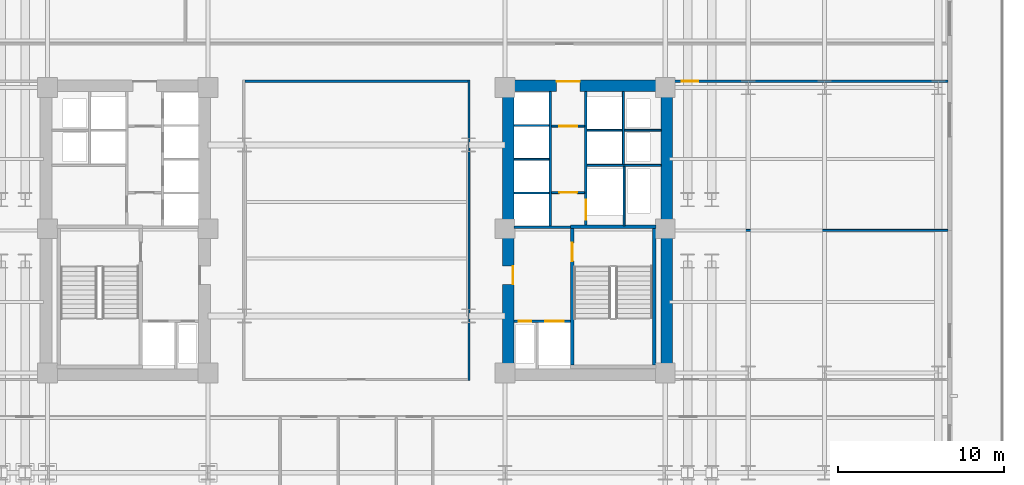
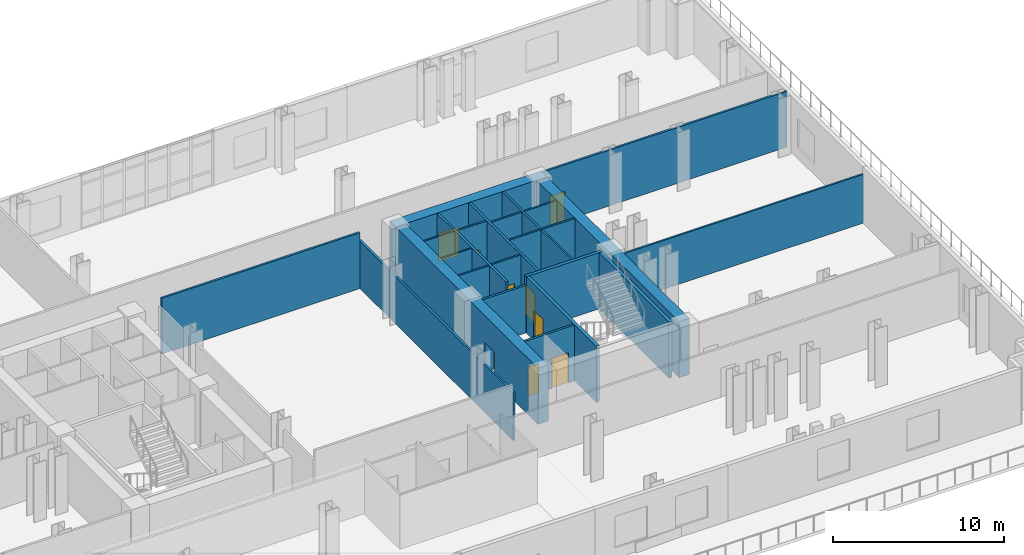
# One storey, part 8 of 14: 24 walls, 9 doors, 9 openings.
"""IFC4 building model written with IfcOpenShell, lengths in metres."""

from ifc_helpers import new_model, si_unit, direction, frame, frame_2d, origin, place, context, subcontext, project, spatial, rectangle, extrude, material, layer, layer_set, type_object, element, fill, save


model = new_model("IFC4")

# Units and contexts
model_context = context("Model", 3, precision=1e-05, world=origin(), true_north=direction((0.0, 1.0)))
body_context = subcontext(model_context, "Body", "Model", "MODEL_VIEW")
ifc_project = project(units=[si_unit("LENGTHUNIT", "METRE"), si_unit("AREAUNIT", "SQUARE_METRE"), si_unit("VOLUMEUNIT", "CUBIC_METRE"), si_unit("PLANEANGLEUNIT", "RADIAN"), si_unit("MASSUNIT", "GRAM", prefix="KILO")], contexts=[model_context])

# Site, building, storey
site_placement = place(None, origin())
site = spatial("IfcSite", under=ifc_project, at=site_placement, CompositionType="ELEMENT")
building_placement = place(site_placement, origin())
building = spatial("IfcBuilding", under=site, at=building_placement, Name="Velakula Bourse", CompositionType="ELEMENT")
storey_placement = place(building_placement, frame((0.0, 0.0, 27.0)))
storey = spatial("IfcBuildingStorey", under=building, at=storey_placement, Name="L06", CompositionType="ELEMENT", Elevation=27.0)

# Wall, opening, door
ifc_material_1 = material(Name="Concrete M50 (fck 50 MPa)", Category="concrete")
ifc_layer_1 = layer(ifc_material_1, 0.2099609375, Name="Concrete M50 (fck 50 MPa)", Category="concrete")
ifc_layer_set_1 = layer_set([ifc_layer_1], Name="Concrete M50 (fck 50 MPa)")
wall_type_1 = type_object("IfcWallType", Name="WL-CORE-210", PredefinedType="SHEAR", material=ifc_layer_set_1)
wall_1_placement = place(storey_placement, frame((12.9951171875, -8.10009765625, 0.0), z_axis=(0.0, 0.0, 1.0), x_axis=(0.0, 1.0, 0.0)))
wall_1 = element("IfcWall", 1, at=wall_1_placement, inside=storey, type_object=wall_type_1, Name="L06 Core E Stairwell Shear Wall IN", PredefinedType="SHEAR", context=body_context, shape_type="SweptSolid", body=[
    extrude(rectangle(XDim=8.2001953125, YDim=0.2099609375, at=frame_2d((4.10009765625, 0.0))), origin(), (0.0, 0.0, 1.0), 4.02001953125),
])
opening_1_placement = place(wall_1_placement, frame((6.25, 0.0, 0.0)))
opening_1 = element("IfcOpeningElement", 2, at=opening_1_placement, cuts=wall_1, Name="Opening D-STE1", PredefinedType="OPENING", context=body_context, shape_type="SweptSolid", body=[
    extrude(rectangle(XDim=1.10009765625, YDim=2.14990234375, at=frame_2d((0.550048828125, 1.074951171875))), frame((0.0, 0.114990234375, 0.0), z_axis=(0.0, -1.0, 0.0), x_axis=(1.0, 0.0, 0.0)), (0.0, 0.0, 1.0), 0.22998046875),
])
ifc_material_2 = material(Name="Galvanised painted hollow steel fire door", Category="steel")
door_type_1 = type_object("IfcDoorType", Name="DR-FD120-1100x2150", OperationType="NOTDEFINED", PredefinedType="DOOR", material=ifc_material_2)
door_1_placement = place(opening_1_placement, origin())
door_1 = element("IfcDoor", 3, at=door_1_placement, inside=storey, type_object=door_type_1, Name="L06 Stair ST-E1 Fire Door", OperationType="SINGLE_SWING_RIGHT", OverallHeight=2.14990234375, OverallWidth=1.10009765625, PredefinedType="DOOR", context=body_context, shape_type="SweptSolid", body=[
    extrude(rectangle(XDim=1.10009765625, YDim=2.14990234375, at=frame_2d((0.550048828125, 1.074951171875))), frame((0.0, 0.02490234375, 0.0), z_axis=(0.0, -1.0, 0.0), x_axis=(1.0, 0.0, 0.0)), (0.0, 0.0, 1.0), 0.050048828125),
])
fill(opening_1, door_1)

# Walls
wall_2_placement = place(storey_placement, frame((17.925048828125, -8.10009765625, 0.0), z_axis=(0.0, 0.0, 1.0), x_axis=(0.0, 1.0, 0.0)))
element("IfcWall", 4, at=wall_2_placement, inside=storey, type_object=wall_type_1, Name="L06 Core E Stairwell Shear Wall OUT", PredefinedType="SHEAR", context=body_context, shape_type="SweptSolid", body=[
    extrude(rectangle(XDim=8.2001953125, YDim=0.2099609375, at=frame_2d((4.10009765625, 0.0))), origin(), (0.0, 0.0, 1.0), 4.02001953125),
])
wall_3_placement = place(storey_placement, frame((18.030029296875, 0.205078125, 0.0), z_axis=(0.0, 0.0, 1.0), x_axis=(-1.0, 0.0, 0.0)))
element("IfcWall", 5, at=wall_3_placement, inside=storey, type_object=wall_type_1, Name="L06 Core E Stairwell Shear Wall N", PredefinedType="SHEAR", context=body_context, shape_type="SweptSolid", body=[
    extrude(rectangle(XDim=5.14013671875, YDim=0.2099609375, at=frame_2d((2.570068359375, 0.0))), origin(), (0.0, 0.0, 1.0), 4.02001953125),
])

# Wall, opening, door
ifc_material_3 = material(Name="Concrete M70 (fck 70 MPa)", Category="concrete")
ifc_layer_2 = layer(ifc_material_3, 0.699951171875, Name="Concrete M70 (fck 70 MPa)", Category="concrete")
ifc_layer_set_2 = layer_set([ifc_layer_2], Name="Concrete M70 (fck 70 MPa)")
wall_type_2 = type_object("IfcWallType", Name="WL-CORE-700", PredefinedType="SHEAR", material=ifc_layer_set_2)
wall_4_placement = place(storey_placement, frame((8.800048828125, 8.699951171875, 0.0), z_axis=(0.0, 0.0, 1.0), x_axis=(1.0, 0.0, 0.0)))
wall_4 = element("IfcWall", 6, at=wall_4_placement, inside=storey, type_object=wall_type_2, Name="L06 Core E Shear Wall N", PredefinedType="SHEAR", context=body_context, shape_type="SweptSolid", body=[
    extrude(rectangle(XDim=10.25, YDim=0.699951171875, at=frame_2d((5.125, 0.0))), origin(), (0.0, 0.0, 1.0), 4.02001953125),
])
opening_2_placement = place(wall_4_placement, frame((3.25, 0.0, 0.0)))
opening_2 = element("IfcOpeningElement", 7, at=opening_2_placement, cuts=wall_4, Name="Opening D-LLE", PredefinedType="OPENING", context=body_context, shape_type="SweptSolid", body=[
    extrude(rectangle(XDim=1.39990234375, YDim=2.050048828125, at=frame_2d((0.699951171875, 1.02490234375))), frame((0.0, 0.35986328125, 0.0), z_axis=(0.0, -1.0, 0.0), x_axis=(1.0, 0.0, 0.0)), (0.0, 0.0, 1.0), 0.719970703125),
])
ifc_material_4 = material(Name="Fire-rated hardwood flush architectural door", Category="wood")
door_type_2 = type_object("IfcDoorType", Name="DR-DBL-FD60-1400", OperationType="DOUBLE_DOOR_SINGLE_SWING", PredefinedType="DOOR", material=ifc_material_4)
door_2_placement = place(opening_2_placement, origin())
door_2 = element("IfcDoor", 8, at=door_2_placement, inside=storey, type_object=door_type_2, Name="L06 Core E Lift Lobby Corridor Double Door", OperationType="DOUBLE_DOOR_SINGLE_SWING", OverallHeight=2.050048828125, OverallWidth=1.39990234375, PredefinedType="DOOR", context=body_context, shape_type="SweptSolid", body=[
    extrude(rectangle(XDim=1.39990234375, YDim=2.050048828125, at=frame_2d((0.699951171875, 1.02490234375))), frame((0.0, 0.294921875, 0.0), z_axis=(0.0, -1.0, 0.0), x_axis=(1.0, 0.0, 0.0)), (0.0, 0.0, 1.0), 0.050048828125),
])
fill(opening_2, door_2)

wall_5_placement = place(storey_placement, frame((9.14990234375, -8.35009765625, 0.0), z_axis=(0.0, 0.0, 1.0), x_axis=(0.0, 1.0, 0.0)))
wall_5 = element("IfcWall", 9, at=wall_5_placement, inside=storey, type_object=wall_type_2, Name="L06 Core E Shear Wall W", PredefinedType="SHEAR", context=body_context, shape_type="SweptSolid", body=[
    extrude(rectangle(XDim=16.7001953125, YDim=0.699951171875, at=frame_2d((8.35009765625, 0.0))), origin(), (0.0, 0.0, 1.0), 4.02001953125),
])
opening_3_placement = place(wall_5_placement, frame((5.10009765625, 0.0, 0.0)))
opening_3 = element("IfcOpeningElement", 10, at=opening_3_placement, cuts=wall_5, Name="Opening D-FLE", PredefinedType="OPENING", context=body_context, shape_type="SweptSolid", body=[
    extrude(rectangle(XDim=1.10009765625, YDim=2.080078125, at=frame_2d((0.550048828125, 1.0400390625))), frame((0.0, 0.35986328125, 0.0), z_axis=(0.0, -1.0, 0.0), x_axis=(1.0, 0.0, 0.0)), (0.0, 0.0, 1.0), 0.719970703125),
])
door_type_3 = type_object("IfcDoorType", Name="DR-FD120-1100", OperationType="NOTDEFINED", PredefinedType="DOOR", material=ifc_material_2)
door_3_placement = place(opening_3_placement, origin())
door_3 = element("IfcDoor", 11, at=door_3_placement, inside=storey, type_object=door_type_3, Name="L06 Firefighting Lobby E Corridor Fire Door", OperationType="SINGLE_SWING_RIGHT", OverallHeight=2.080078125, OverallWidth=1.10009765625, PredefinedType="DOOR", context=body_context, shape_type="SweptSolid", body=[
    extrude(rectangle(XDim=1.10009765625, YDim=2.080078125, at=frame_2d((0.550048828125, 1.0400390625))), frame((0.0, -0.2548828125, 0.0), z_axis=(0.0, -1.0, 0.0), x_axis=(1.0, 0.0, 0.0)), (0.0, 0.0, 1.0), 0.050048828125),
])
fill(opening_3, door_3)

# Wall
wall_6_placement = place(storey_placement, frame((18.699951171875, -8.35009765625, 0.0), z_axis=(0.0, 0.0, 1.0), x_axis=(0.0, 1.0, 0.0)))
element("IfcWall", 12, at=wall_6_placement, inside=storey, type_object=wall_type_2, Name="L06 Core E Shear Wall E", PredefinedType="SHEAR", context=body_context, shape_type="SweptSolid", body=[
    extrude(rectangle(XDim=16.7001953125, YDim=0.699951171875, at=frame_2d((8.35009765625, 0.0))), origin(), (0.0, 0.0, 1.0), 4.02001953125),
])

# Wall, opening, door
ifc_material_5 = material(Name="Fire-rated double-layer gypsum drywall partition", Category="gypsum")
ifc_layer_3 = layer(ifc_material_5, 0.1201171875, Name="Fire-rated double-layer gypsum drywall partition", Category="gypsum")
ifc_layer_set_3 = layer_set([ifc_layer_3], Name="Fire-rated double-layer gypsum drywall partition")
wall_type_3 = type_object("IfcWallType", Name="WL-PART-120", PredefinedType="STANDARD", material=ifc_layer_set_3)
wall_7_placement = place(storey_placement, frame((11.75, 2.280029296875, 0.0), z_axis=(0.0, 0.0, 1.0), x_axis=(1.0, 0.0, 0.0)))
wall_7 = element("IfcWall", 13, at=wall_7_placement, inside=storey, type_object=wall_type_3, Name="L06 Interior Partition WL-CRE-L06-LL-K3A", PredefinedType="STANDARD", context=body_context, shape_type="SweptSolid", body=[
    extrude(rectangle(XDim=2.0, YDim=0.1201171875, at=frame_2d((1.0, 0.0))), origin(), (0.0, 0.0, 1.0), 4.0),
])
opening_4_placement = place(wall_7_placement, frame((0.449951171875, 0.0, 0.0)))
opening_4 = element("IfcOpeningElement", 14, at=opening_4_placement, cuts=wall_7, Name="Opening D-LK3", PredefinedType="OPENING", context=body_context, shape_type="SweptSolid", body=[
    extrude(rectangle(XDim=1.10009765625, YDim=2.10009765625, at=frame_2d((0.550048828125, 1.050048828125))), frame((0.0, 0.070068359375, 0.0), z_axis=(0.0, -1.0, 0.0), x_axis=(1.0, 0.0, 0.0)), (0.0, 0.0, 1.0), 0.14013671875),
])
door_type_4 = type_object("IfcDoorType", Name="DR-FD60-1100x2100", OperationType="NOTDEFINED", PredefinedType="DOOR", material=ifc_material_4)
door_4_placement = place(opening_4_placement, origin())
door_4 = element("IfcDoor", 15, at=door_4_placement, inside=storey, type_object=door_type_4, Name="L06 Core E Lift Lobby Vestibule Door A", OperationType="SINGLE_SWING_RIGHT", OverallHeight=2.10009765625, OverallWidth=1.10009765625, PredefinedType="DOOR", context=body_context, shape_type="SweptSolid", body=[
    extrude(rectangle(XDim=1.10009765625, YDim=2.10009765625, at=frame_2d((0.550048828125, 1.050048828125))), frame((0.0, 0.02490234375, 0.0), z_axis=(0.0, -1.0, 0.0), x_axis=(1.0, 0.0, 0.0)), (0.0, 0.0, 1.0), 0.050048828125),
])
fill(opening_4, door_4)

wall_8_placement = place(storey_placement, frame((11.75, 6.280029296875, 0.0), z_axis=(0.0, 0.0, 1.0), x_axis=(1.0, 0.0, 0.0)))
wall_8 = element("IfcWall", 16, at=wall_8_placement, inside=storey, type_object=wall_type_3, Name="L06 Interior Partition WL-CRE-L06-LL-K3B", PredefinedType="STANDARD", context=body_context, shape_type="SweptSolid", body=[
    extrude(rectangle(XDim=2.0, YDim=0.1201171875, at=frame_2d((1.0, 0.0))), origin(), (0.0, 0.0, 1.0), 4.0),
])
opening_5_placement = place(wall_8_placement, frame((0.449951171875, 0.0, 0.0)))
opening_5 = element("IfcOpeningElement", 17, at=opening_5_placement, cuts=wall_8, Name="Opening D-LK3", PredefinedType="OPENING", context=body_context, shape_type="SweptSolid", body=[
    extrude(rectangle(XDim=1.10009765625, YDim=2.10009765625, at=frame_2d((0.550048828125, 1.050048828125))), frame((0.0, 0.070068359375, 0.0), z_axis=(0.0, -1.0, 0.0), x_axis=(1.0, 0.0, 0.0)), (0.0, 0.0, 1.0), 0.14013671875),
])
door_5_placement = place(opening_5_placement, origin())
door_5 = element("IfcDoor", 18, at=door_5_placement, inside=storey, type_object=door_type_4, Name="L06 Core E Lift Lobby Vestibule Door B", OperationType="SINGLE_SWING_LEFT", OverallHeight=2.10009765625, OverallWidth=1.10009765625, PredefinedType="DOOR", context=body_context, shape_type="SweptSolid", body=[
    extrude(rectangle(XDim=1.10009765625, YDim=2.10009765625, at=frame_2d((0.550048828125, 1.050048828125))), frame((0.0, 0.02490234375, 0.0), z_axis=(0.0, -1.0, 0.0), x_axis=(1.0, 0.0, 0.0)), (0.0, 0.0, 1.0), 0.050048828125),
])
fill(opening_5, door_5)

# Walls
for number, where, z_axis, x_axis, name in (
    (19, (9.5, 2.2548828125, 0.0), (0.0, 0.0, 1.0), (1.0, 0.0, 0.0), "L06 Interior Partition WL-CRE-L06-BDIV-0"),
    (20, (9.5, 4.284912109375, 0.0), (0.0, 0.0, 1.0), (1.0, 0.0, 0.0), "L06 Interior Partition WL-CRE-L06-BDIV-1"),
    (21, (9.5, 6.31494140625, 0.0), (0.0, 0.0, 1.0), (1.0, 0.0, 0.0), "L06 Interior Partition WL-CRE-L06-BDIV-2"),
):
    element("IfcWall", number, at=place(storey_placement, frame(where, z_axis=z_axis, x_axis=x_axis)), inside=storey, type_object=wall_type_3, Name=name, PredefinedType="STANDARD", context=body_context, shape_type="SweptSolid", body=[
        extrude(rectangle(XDim=2.10009765625, YDim=0.110107421875, at=frame_2d((1.050048828125, 0.0))), origin(), (0.0, 0.0, 1.0), 4.0),
    ])
wall_9_placement = place(storey_placement, frame((13.89990234375, 3.919921875, 0.0), z_axis=(0.0, 0.0, 1.0), x_axis=(1.0, 0.0, 0.0)))
element("IfcWall", 22, at=wall_9_placement, inside=storey, type_object=wall_type_3, Name="L06 Interior Partition WL-CRE-L06-HI-S", PredefinedType="STANDARD", context=body_context, shape_type="SweptSolid", body=[
    extrude(rectangle(XDim=4.4501953125, YDim=0.1201171875, at=frame_2d((2.22509765625, 0.0))), origin(), (0.0, 0.0, 1.0), 4.0),
])
wall_10_placement = place(storey_placement, frame((16.14990234375, 6.030029296875, 0.0), z_axis=(0.0, 0.0, 1.0), x_axis=(1.0, 0.0, 0.0)))
element("IfcWall", 23, at=wall_10_placement, inside=storey, type_object=wall_type_3, Name="L06 Interior Partition WL-CRE-L06-RIS-MID", PredefinedType="STANDARD", context=body_context, shape_type="SweptSolid", body=[
    extrude(rectangle(XDim=2.2001953125, YDim=0.1201171875, at=frame_2d((1.10009765625, 0.0))), origin(), (0.0, 0.0, 1.0), 4.0),
])
wall_11_placement = place(storey_placement, frame((16.074951171875, 3.97998046875, 0.0), z_axis=(0.0, 0.0, 1.0), x_axis=(0.0, 1.0, 0.0)))
element("IfcWall", 24, at=wall_11_placement, inside=storey, type_object=wall_type_3, Name="L06 Interior Partition WL-CRE-L06-RIS-F", PredefinedType="STANDARD", context=body_context, shape_type="SweptSolid", body=[
    extrude(rectangle(XDim=4.3701171875, YDim=0.1201171875, at=frame_2d((2.18505859375, 0.0))), origin(), (0.0, 0.0, 1.0), 4.0),
])
wall_12_placement = place(storey_placement, frame((13.89990234375, 6.030029296875, 0.0), z_axis=(0.0, 0.0, 1.0), x_axis=(1.0, 0.0, 0.0)))
element("IfcWall", 25, at=wall_12_placement, inside=storey, type_object=wall_type_3, Name="L06 Interior Partition WL-CRE-L06-HI-DIV", PredefinedType="STANDARD", context=body_context, shape_type="SweptSolid", body=[
    extrude(rectangle(XDim=2.10009765625, YDim=0.1201171875, at=frame_2d((1.050048828125, 0.0))), origin(), (0.0, 0.0, 1.0), 4.0),
])
wall_13_placement = place(storey_placement, frame((16.125, 0.27001953125, 0.0), z_axis=(0.0, 0.0, 1.0), x_axis=(0.0, 1.0, 0.0)))
element("IfcWall", 26, at=wall_13_placement, inside=storey, type_object=wall_type_3, Name="L06 Interior Partition WL-CRE-L06-SVL-E", PredefinedType="STANDARD", context=body_context, shape_type="SweptSolid", body=[
    extrude(rectangle(XDim=3.590087890625, YDim=0.1201171875, at=frame_2d((1.794921875, 0.0))), origin(), (0.0, 0.0, 1.0), 4.0),
])
wall_14_placement = place(storey_placement, frame((19.050048828125, 0.0, 0.0), z_axis=(0.0, 0.0, 1.0), x_axis=(1.0, 0.0, 0.0)))
element("IfcWall", 27, at=wall_14_placement, inside=storey, type_object=wall_type_3, Name="L06 Interior Partition WL-INT-L06-E-H", PredefinedType="STANDARD", context=body_context, shape_type="SweptSolid", body=[
    extrude(rectangle(XDim=16.570068359375, YDim=0.1201171875, at=frame_2d((8.28515625, 0.0))), origin(), (0.0, 0.0, 1.0), 3.4951171875),
])

# Wall, opening, door
ifc_layer_4 = layer(ifc_material_5, 0.139892578125, Name="Fire-rated double-layer gypsum drywall partition", Category="gypsum")
ifc_layer_set_4 = layer_set([ifc_layer_4], Name="Fire-rated double-layer gypsum drywall partition")
wall_type_4 = type_object("IfcWallType", Name="WL-PART-140", PredefinedType="STANDARD", material=ifc_layer_set_4)
wall_15_placement = place(storey_placement, frame((19.050048828125, 8.97998046875, 0.0), z_axis=(0.0, 0.0, 1.0), x_axis=(1.0, 0.0, 0.0)))
wall_15 = element("IfcWall", 28, at=wall_15_placement, inside=storey, type_object=wall_type_4, Name="L06 Interior Partition WL-INT-L06-E-NC", PredefinedType="STANDARD", context=body_context, shape_type="SweptSolid", body=[
    extrude(rectangle(XDim=16.570068359375, YDim=0.139892578125, at=frame_2d((8.28515625, 0.0))), origin(), (0.0, 0.0, 1.0), 4.0),
])
opening_6_placement = place(wall_15_placement, frame((0.53955078125, 0.0, 0.0)))
opening_6 = element("IfcOpeningElement", 29, at=opening_6_placement, cuts=wall_15, Name="Opening D-OF1", PredefinedType="OPENING", context=body_context, shape_type="SweptSolid", body=[
    extrude(rectangle(XDim=1.0, YDim=2.080078125, at=frame_2d((0.5, 1.0400390625))), frame((0.0, 0.079833984375, 0.0), z_axis=(0.0, -1.0, 0.0), x_axis=(1.0, 0.0, 0.0)), (0.0, 0.0, 1.0), 0.159912109375),
])
door_type_5 = type_object("IfcDoorType", Name="DR-OFF-1000", OperationType="NOTDEFINED", PredefinedType="DOOR", material=ifc_material_4)
door_6_placement = place(opening_6_placement, origin())
door_6 = element("IfcDoor", 30, at=door_6_placement, inside=storey, type_object=door_type_5, Name="L06 Bullion Assay Office Door", OperationType="SINGLE_SWING_RIGHT", OverallHeight=2.080078125, OverallWidth=1.0, PredefinedType="DOOR", context=body_context, shape_type="SweptSolid", body=[
    extrude(rectangle(XDim=1.0, YDim=2.080078125, at=frame_2d((0.5, 1.0400390625))), frame((0.0, 0.02490234375, 0.0), z_axis=(0.0, -1.0, 0.0), x_axis=(1.0, 0.0, 0.0)), (0.0, 0.0, 1.0), 0.050048828125),
])
fill(opening_6, door_6)

# Walls
wall_16_placement = place(storey_placement, frame((6.780029296875, -9.050048828125, 0.0), z_axis=(0.0, 0.0, 1.0), x_axis=(0.0, 1.0, 0.0)))
element("IfcWall", 31, at=wall_16_placement, inside=storey, type_object=wall_type_4, Name="L06 Interior Partition WL-INT-L06-MID-E", PredefinedType="STANDARD", context=body_context, shape_type="SweptSolid", body=[
    extrude(rectangle(XDim=18.10009765625, YDim=0.139892578125, at=frame_2d((9.050048828125, 0.0))), origin(), (0.0, 0.0, 1.0), 3.39501953125),
])
wall_17_placement = place(storey_placement, frame((-6.7099609375, 8.97998046875, 0.0), z_axis=(0.0, 0.0, 1.0), x_axis=(1.0, 0.0, 0.0)))
element("IfcWall", 32, at=wall_17_placement, inside=storey, type_object=wall_type_4, Name="L06 Interior Partition WL-INT-L06-MID-N", PredefinedType="STANDARD", context=body_context, shape_type="SweptSolid", body=[
    extrude(rectangle(XDim=13.419921875, YDim=0.139892578125, at=frame_2d((6.7099609375, 0.0))), origin(), (0.0, 0.0, 1.0), 4.0),
])

# Wall, openings, doors
ifc_material_6 = material(Name="Autoclaved aerated concrete blockwork masonry", Category="masonry")
ifc_layer_5 = layer(ifc_material_6, 0.14990234375, Name="Autoclaved aerated concrete blockwork masonry", Category="masonry")
ifc_layer_set_5 = layer_set([ifc_layer_5], Name="Autoclaved aerated concrete blockwork masonry")
wall_type_5 = type_object("IfcWallType", Name="WL-SHAFT-150", PredefinedType="STANDARD", material=ifc_layer_set_5)
wall_18_placement = place(storey_placement, frame((9.5, -5.47509765625, 0.0), z_axis=(0.0, 0.0, 1.0), x_axis=(1.0, 0.0, 0.0)))
wall_18 = element("IfcWall", 33, at=wall_18_placement, inside=storey, type_object=wall_type_5, Name="L06 Interior Partition WL-CRE-L06-FFL-N", PredefinedType="STANDARD", context=body_context, shape_type="SweptSolid", body=[
    extrude(rectangle(XDim=3.39501953125, YDim=0.14990234375, at=frame_2d((1.697509765625, 0.0))), origin(), (0.0, 0.0, 1.0), 4.0),
])
opening_7_placement = place(wall_18_placement, frame((1.875, 0.0, 0.0)))
opening_7 = element("IfcOpeningElement", 34, at=opening_7_placement, cuts=wall_18, Name="Opening LD-FFL-2", PredefinedType="OPENING", context=body_context, shape_type="SweptSolid", body=[
    extrude(rectangle(XDim=1.10009765625, YDim=2.14990234375, at=frame_2d((0.550048828125, 1.074951171875))), frame((0.0, 0.0849609375, 0.0), z_axis=(0.0, -1.0, 0.0), x_axis=(1.0, 0.0, 0.0)), (0.0, 0.0, 1.0), 0.169921875),
])
opening_8_placement = place(wall_18_placement, frame((0.27490234375, 0.0, 0.0)))
opening_8 = element("IfcOpeningElement", 35, at=opening_8_placement, cuts=wall_18, Name="Opening D-RS1", PredefinedType="OPENING", context=body_context, shape_type="SweptSolid", body=[
    extrude(rectangle(XDim=0.75, YDim=2.050048828125, at=frame_2d((0.375, 1.02490234375))), frame((0.0, 0.0849609375, 0.0), z_axis=(0.0, -1.0, 0.0), x_axis=(1.0, 0.0, 0.0)), (0.0, 0.0, 1.0), 0.169921875),
])
door_type_6 = type_object("IfcDoorType", Name="DR-RISER-800", OperationType="NOTDEFINED", PredefinedType="DOOR", material=ifc_material_2)
door_7_placement = place(opening_8_placement, origin())
door_7 = element("IfcDoor", 36, at=door_7_placement, inside=storey, type_object=door_type_6, Name="L06 Fire Riser Access Door", OperationType="SINGLE_SWING_LEFT", OverallHeight=2.050048828125, OverallWidth=0.75, PredefinedType="DOOR", context=body_context, shape_type="SweptSolid", body=[
    extrude(rectangle(XDim=0.75, YDim=2.050048828125, at=frame_2d((0.375, 1.02490234375))), frame((0.0, 0.02490234375, 0.0), z_axis=(0.0, -1.0, 0.0), x_axis=(1.0, 0.0, 0.0)), (0.0, 0.0, 1.0), 0.050048828125),
])
fill(opening_8, door_7)
ifc_material_7 = material(Name="Brushed grade 316 stainless steel", Category="steel")
door_type_7 = type_object("IfcDoorType", Name="DR-SLIDE-FFL-1100", OperationType="DOUBLE_DOOR_SLIDING", PredefinedType="DOOR", material=ifc_material_7)
door_8_placement = place(opening_7_placement, origin())
door_8 = element("IfcDoor", 37, at=door_8_placement, inside=storey, type_object=door_type_7, Name="L06 Firefighting Lift FFL-2 Sliding Landing Door", OperationType="DOUBLE_DOOR_SLIDING", OverallHeight=2.14990234375, OverallWidth=1.10009765625, PredefinedType="DOOR", context=body_context, shape_type="SweptSolid", body=[
    extrude(rectangle(XDim=1.10009765625, YDim=2.14990234375, at=frame_2d((0.550048828125, 1.074951171875))), frame((0.0, 0.02490234375, 0.0), z_axis=(0.0, -1.0, 0.0), x_axis=(1.0, 0.0, 0.0)), (0.0, 0.0, 1.0), 0.050048828125),
])
fill(opening_7, door_8)

# Walls
wall_19_placement = place(storey_placement, frame((9.5, 0.18994140625, 0.0), z_axis=(0.0, 0.0, 1.0), x_axis=(1.0, 0.0, 0.0)))
element("IfcWall", 38, at=wall_19_placement, inside=storey, type_object=wall_type_5, Name="L06 Interior Partition WL-CRE-L06-FF-TOP", PredefinedType="STANDARD", context=body_context, shape_type="SweptSolid", body=[
    extrude(rectangle(XDim=3.389892578125, YDim=0.14990234375, at=frame_2d((1.69482421875, 0.0))), origin(), (0.0, 0.0, 1.0), 3.39501953125),
])
wall_20_placement = place(storey_placement, frame((11.675048828125, 0.27001953125, 0.0), z_axis=(0.0, 0.0, 1.0), x_axis=(0.0, 1.0, 0.0)))
element("IfcWall", 39, at=wall_20_placement, inside=storey, type_object=wall_type_5, Name="L06 Interior Partition WL-CRE-L06-BANK-F", PredefinedType="STANDARD", context=body_context, shape_type="SweptSolid", body=[
    extrude(rectangle(XDim=8.080078125, YDim=0.14990234375, at=frame_2d((4.0400390625, 0.0))), origin(), (0.0, 0.0, 1.0), 4.0),
])

# Wall, opening, door
wall_21_placement = place(storey_placement, frame((13.824951171875, 0.27001953125, 0.0), z_axis=(0.0, 0.0, 1.0), x_axis=(0.0, 1.0, 0.0)))
wall_21 = element("IfcWall", 40, at=wall_21_placement, inside=storey, type_object=wall_type_5, Name="L06 Interior Partition WL-CRE-L06-OUT-F", PredefinedType="STANDARD", context=body_context, shape_type="SweptSolid", body=[
    extrude(rectangle(XDim=8.080078125, YDim=0.14990234375, at=frame_2d((4.0400390625, 0.0))), origin(), (0.0, 0.0, 1.0), 4.0),
])
opening_9_placement = place(wall_21_placement, frame((0.3798828125, 0.0, 0.0)))
opening_9 = element("IfcOpeningElement", 41, at=opening_9_placement, cuts=wall_21, Name="Opening LD-SVL1", PredefinedType="OPENING", context=body_context, shape_type="SweptSolid", body=[
    extrude(rectangle(XDim=1.199951171875, YDim=2.10009765625, at=frame_2d((0.60009765625, 1.050048828125))), frame((0.0, 0.0849609375, 0.0), z_axis=(0.0, -1.0, 0.0), x_axis=(1.0, 0.0, 0.0)), (0.0, 0.0, 1.0), 0.169921875),
])
door_type_8 = type_object("IfcDoorType", Name="DR-SLIDE-LD-1200", OperationType="DOUBLE_DOOR_SLIDING", PredefinedType="DOOR", material=ifc_material_7)
door_9_placement = place(opening_9_placement, origin())
door_9 = element("IfcDoor", 42, at=door_9_placement, inside=storey, type_object=door_type_8, Name="L06 Service Lift SVL-1 Sliding Landing Door", OperationType="DOUBLE_DOOR_SLIDING", OverallHeight=2.10009765625, OverallWidth=1.199951171875, PredefinedType="DOOR", context=body_context, shape_type="SweptSolid", body=[
    extrude(rectangle(XDim=1.199951171875, YDim=2.10009765625, at=frame_2d((0.60009765625, 1.050048828125))), frame((0.0, 0.02490234375, 0.0), z_axis=(0.0, -1.0, 0.0), x_axis=(1.0, 0.0, 0.0)), (0.0, 0.0, 1.0), 0.050048828125),
])
fill(opening_9, door_9)

save(model, "model.ifc")
